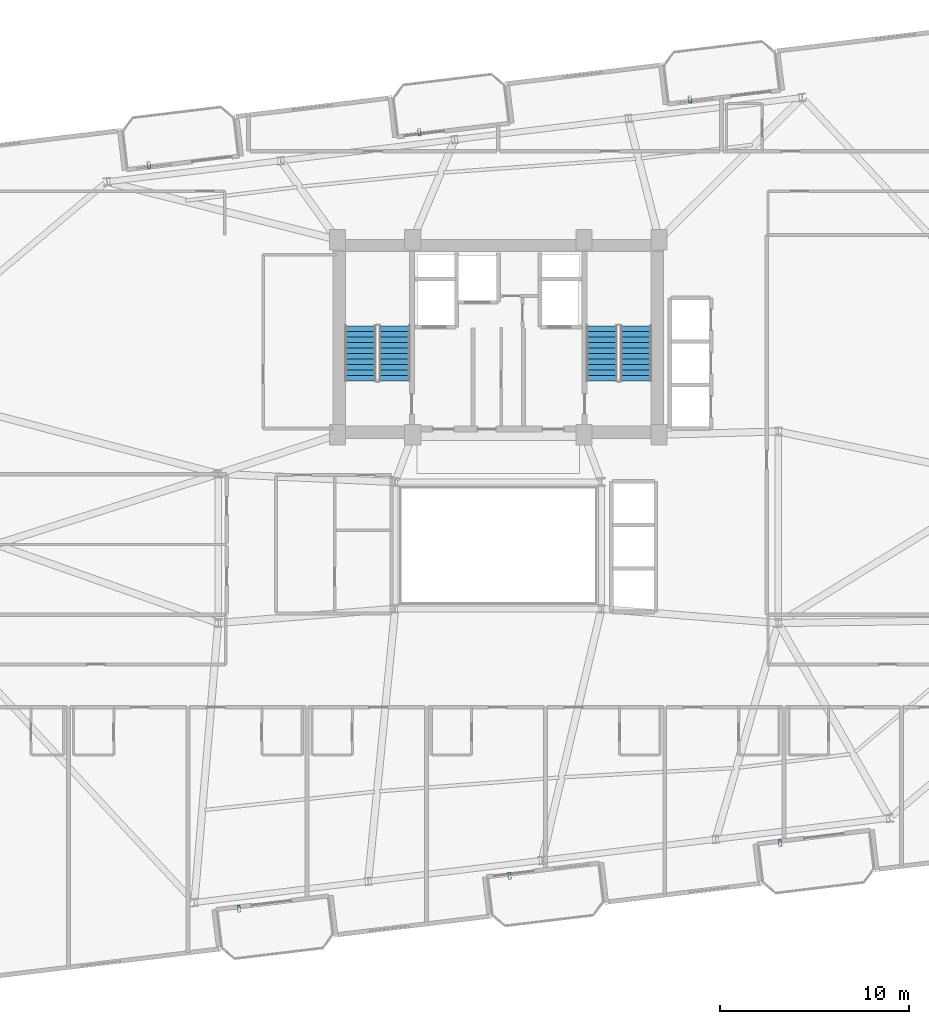
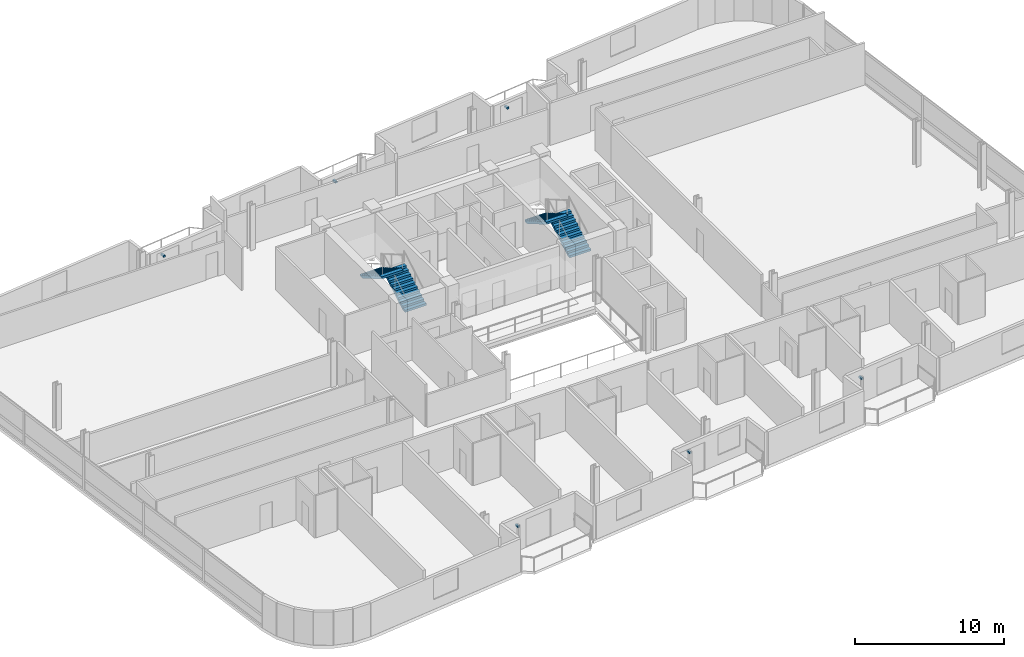
# One storey, part 19 of 23: 6 discrete accessories, 4 stair flights, 2 elements without a shape of their own.
"""IFC4 building model written with IfcOpenShell, lengths in metres."""

from ifc_helpers import new_model, si_unit, direction, frame, origin, origin_2d, place, context, subcontext, project, spatial, polyline, rectangle, outline, extrude, source, transform, mapped, material, type_object, element, aggregate, save


model = new_model("IFC4")

# Units and contexts
model_context = context("Model", 3, precision=1e-05, world=origin(), true_north=direction((0.0, 1.0)))
body_context = subcontext(model_context, "Body", "Model", "MODEL_VIEW")
ifc_project = project(units=[si_unit("LENGTHUNIT", "METRE"), si_unit("AREAUNIT", "SQUARE_METRE"), si_unit("VOLUMEUNIT", "CUBIC_METRE"), si_unit("PLANEANGLEUNIT", "RADIAN"), si_unit("MASSUNIT", "GRAM", prefix="KILO")], contexts=[model_context])

# Site, building, storey
site_placement = place(None, origin())
site = spatial("IfcSite", under=ifc_project, at=site_placement, CompositionType="ELEMENT")
building_placement = place(site_placement, origin())
building = spatial("IfcBuilding", under=site, at=building_placement, Name="Varnelok Gate Tower", CompositionType="ELEMENT")
storey_placement = place(building_placement, frame((0.0, 0.0, 200.5)))
storey = spatial("IfcBuildingStorey", under=building, at=storey_placement, Name="L51", CompositionType="ELEMENT", Elevation=200.5)

# Stair, stair flights
ifc_material_1 = material(Name="Concrete C50/60", Category="concrete")
stair_type = type_object("IfcStairType", Name="STR-CORE-1650", PredefinedType="HALF_TURN_STAIR", material=ifc_material_1)
stair_1_placement = place(storey_placement, origin())
stair_1 = element("IfcStair", 1, at=stair_1_placement, inside=storey, type_object=stair_type, Name="L51 Exit Stair ST-1", PredefinedType="HALF_TURN_STAIR")
stair_flight_type = type_object("IfcStairFlightType", Name="SFL-CORE-1650", PredefinedType="STRAIGHT", material=ifc_material_1)
stair_flight_1_placement = place(storey_placement, frame((33.72509765625, 31.60009765625, 0.0), z_axis=(0.0, 0.0, 1.0), x_axis=(0.0, 1.0, 0.0)))
stair_flight_1 = element("IfcStairFlight", 2, at=stair_flight_1_placement, type_object=stair_flight_type, Name="ST-1 flight 1", NumberOfRisers=11, NumberOfTreads=10, PredefinedType="STRAIGHT", RiserHeight=0.168181818, TreadLength=0.29, context=body_context, shape_type="SweptSolid", body=[
    extrude(outline(polyline([(0.0, 0.0), (0.0, 0.168212890625), (0.2900390625, 0.168212890625), (0.2900390625, 0.33642578125), (0.580078125, 0.33642578125), (0.580078125, 0.504638671875), (0.8701171875, 0.504638671875), (0.8701171875, 0.672607421875), (1.159912109375, 0.672607421875), (1.159912109375, 0.8408203125), (1.449951171875, 0.8408203125), (1.449951171875, 1.009033203125), (1.739990234375, 1.009033203125), (1.739990234375, 1.17724609375), (2.030029296875, 1.17724609375), (2.030029296875, 1.345458984375), (2.320068359375, 1.345458984375), (2.320068359375, 1.513671875), (2.610107421875, 1.513671875), (2.610107421875, 1.681884765625), (2.89990234375, 1.681884765625), (2.89990234375, 1.85009765625), (2.89990234375, 1.508544921875), (0.298828125, 0.0), (0.0, 0.0)])), frame((0.0, 0.824951171875, 0.0), z_axis=(0.0, -1.0, 0.0), x_axis=(1.0, 0.0, 0.0)), (0.0, 0.0, 1.0), 1.64990234375),
])
stair_flight_2_placement = place(storey_placement, frame((31.925048828125, 34.5, 1.85009765625), z_axis=(0.0, 0.0, 1.0), x_axis=(0.0, -1.0, 0.0)))
stair_flight_2 = element("IfcStairFlight", 3, at=stair_flight_2_placement, type_object=stair_flight_type, Name="ST-1 flight 2", NumberOfRisers=11, NumberOfTreads=10, PredefinedType="STRAIGHT", RiserHeight=0.168181818, TreadLength=0.29, context=body_context, shape_type="SweptSolid", body=[
    extrude(outline(polyline([(0.0, 0.0), (0.0, 0.168212890625), (0.2900390625, 0.168212890625), (0.2900390625, 0.33642578125), (0.580078125, 0.33642578125), (0.580078125, 0.504638671875), (0.8701171875, 0.504638671875), (0.8701171875, 0.672607421875), (1.159912109375, 0.672607421875), (1.159912109375, 0.8408203125), (1.449951171875, 0.8408203125), (1.449951171875, 1.009033203125), (1.739990234375, 1.009033203125), (1.739990234375, 1.17724609375), (2.030029296875, 1.17724609375), (2.030029296875, 1.345458984375), (2.320068359375, 1.345458984375), (2.320068359375, 1.513671875), (2.610107421875, 1.513671875), (2.610107421875, 1.681884765625), (2.89990234375, 1.681884765625), (2.89990234375, 1.85009765625), (2.89990234375, 1.508544921875), (0.298828125, 0.0), (0.0, 0.0)])), frame((0.0, 0.824951171875, 0.0), z_axis=(0.0, -1.0, 0.0), x_axis=(1.0, 0.0, 0.0)), (0.0, 0.0, 1.0), 1.64990234375),
])
aggregate(stair_1, [stair_flight_1, stair_flight_2])

stair_2_placement = place(storey_placement, origin())
stair_2 = element("IfcStair", 4, at=stair_2_placement, inside=storey, type_object=stair_type, Name="L51 Exit Stair ST-2", PredefinedType="HALF_TURN_STAIR")
stair_flight_3_placement = place(storey_placement, frame((46.47509765625, 31.60009765625, 0.0), z_axis=(0.0, 0.0, 1.0), x_axis=(0.0, 1.0, 0.0)))
stair_flight_3 = element("IfcStairFlight", 5, at=stair_flight_3_placement, type_object=stair_flight_type, Name="ST-2 flight 1", NumberOfRisers=11, NumberOfTreads=10, PredefinedType="STRAIGHT", RiserHeight=0.168181818, TreadLength=0.29, context=body_context, shape_type="SweptSolid", body=[
    extrude(outline(polyline([(0.0, 0.0), (0.0, 0.168212890625), (0.2900390625, 0.168212890625), (0.2900390625, 0.33642578125), (0.580078125, 0.33642578125), (0.580078125, 0.504638671875), (0.8701171875, 0.504638671875), (0.8701171875, 0.672607421875), (1.159912109375, 0.672607421875), (1.159912109375, 0.8408203125), (1.449951171875, 0.8408203125), (1.449951171875, 1.009033203125), (1.739990234375, 1.009033203125), (1.739990234375, 1.17724609375), (2.030029296875, 1.17724609375), (2.030029296875, 1.345458984375), (2.320068359375, 1.345458984375), (2.320068359375, 1.513671875), (2.610107421875, 1.513671875), (2.610107421875, 1.681884765625), (2.89990234375, 1.681884765625), (2.89990234375, 1.85009765625), (2.89990234375, 1.508544921875), (0.298828125, 0.0), (0.0, 0.0)])), frame((0.0, 0.824951171875, 0.0), z_axis=(0.0, -1.0, 0.0), x_axis=(1.0, 0.0, 0.0)), (0.0, 0.0, 1.0), 1.64990234375),
])
stair_flight_4_placement = place(storey_placement, frame((44.675048828125, 34.5, 1.85009765625), z_axis=(0.0, 0.0, 1.0), x_axis=(0.0, -1.0, 0.0)))
stair_flight_4 = element("IfcStairFlight", 6, at=stair_flight_4_placement, type_object=stair_flight_type, Name="ST-2 flight 2", NumberOfRisers=11, NumberOfTreads=10, PredefinedType="STRAIGHT", RiserHeight=0.168181818, TreadLength=0.29, context=body_context, shape_type="SweptSolid", body=[
    extrude(outline(polyline([(0.0, 0.0), (0.0, 0.168212890625), (0.2900390625, 0.168212890625), (0.2900390625, 0.33642578125), (0.580078125, 0.33642578125), (0.580078125, 0.504638671875), (0.8701171875, 0.504638671875), (0.8701171875, 0.672607421875), (1.159912109375, 0.672607421875), (1.159912109375, 0.8408203125), (1.449951171875, 0.8408203125), (1.449951171875, 1.009033203125), (1.739990234375, 1.009033203125), (1.739990234375, 1.17724609375), (2.030029296875, 1.17724609375), (2.030029296875, 1.345458984375), (2.320068359375, 1.345458984375), (2.320068359375, 1.513671875), (2.610107421875, 1.513671875), (2.610107421875, 1.681884765625), (2.89990234375, 1.681884765625), (2.89990234375, 1.85009765625), (2.89990234375, 1.508544921875), (0.298828125, 0.0), (0.0, 0.0)])), frame((0.0, 0.824951171875, 0.0), z_axis=(0.0, -1.0, 0.0), x_axis=(1.0, 0.0, 0.0)), (0.0, 0.0, 1.0), 1.64990234375),
])
aggregate(stair_2, [stair_flight_3, stair_flight_4])

# Discrete accessories
ifc_material_2 = material(Name="Structural Steel ASTM A500 Grade C", Category="steel")
discrete_accessory_type = type_object("IfcDiscreteAccessoryType", Name="ACC-BAGUETTE-BRK", PredefinedType="BRACKET", material=ifc_material_2)
shared_shape = source(origin(), body_context, "Body", "SweptSolid", [
    extrude(rectangle(XDim=0.159912109375, YDim=0.340087890625, at=origin_2d()), origin(), (0.0, 0.0, 1.0), 0.139892578125),
])
for number, where, z_axis, x_axis, name in (
    (7, (25.4970703125, 3.72412109375, 1.97998046875), (0.0, 0.0, 1.0), (0.992732158755, 0.12034475881, 0.0), "L51 Terracotta Baguette Bracket 1.1"),
    (8, (39.792236328125, 5.45703125, 1.97998046875), (0.0, 0.0, 1.0), (0.992732158755, 0.12034475881, 0.0), "L51 Terracotta Baguette Bracket 2.1"),
    (9, (54.087646484375, 7.18994140625, 1.97998046875), (0.0, 0.0, 1.0), (0.992732158755, 0.12034475881, 0.0), "L51 Terracotta Baguette Bracket 3.1"),
    (10, (20.738525390625, 42.976806640625, 1.97998046875), (0.0, 0.0, 1.0), (0.992732158755, 0.12034475881, 0.0), "L51 Terracotta Baguette Bracket 4.1"),
    (11, (35.033935546875, 44.709716796875, 1.97998046875), (0.0, 0.0, 1.0), (0.992732158755, 0.12034475881, 0.0), "L51 Terracotta Baguette Bracket 5.1"),
    (12, (49.3291015625, 46.442626953125, 1.97998046875), (0.0, 0.0, 1.0), (0.992732158755, 0.12034475881, 0.0), "L51 Terracotta Baguette Bracket 6.1"),
):
    element("IfcDiscreteAccessory", number, at=place(storey_placement, frame(where, z_axis=z_axis, x_axis=x_axis)), inside=storey, type_object=discrete_accessory_type, Name=name, PredefinedType="BRACKET", context=body_context, shape_type="MappedRepresentation", body=[
        mapped(shared_shape, transform((0.0, 0.0, 0.0), scale=1.0)),
    ])

save(model, "model.ifc")
